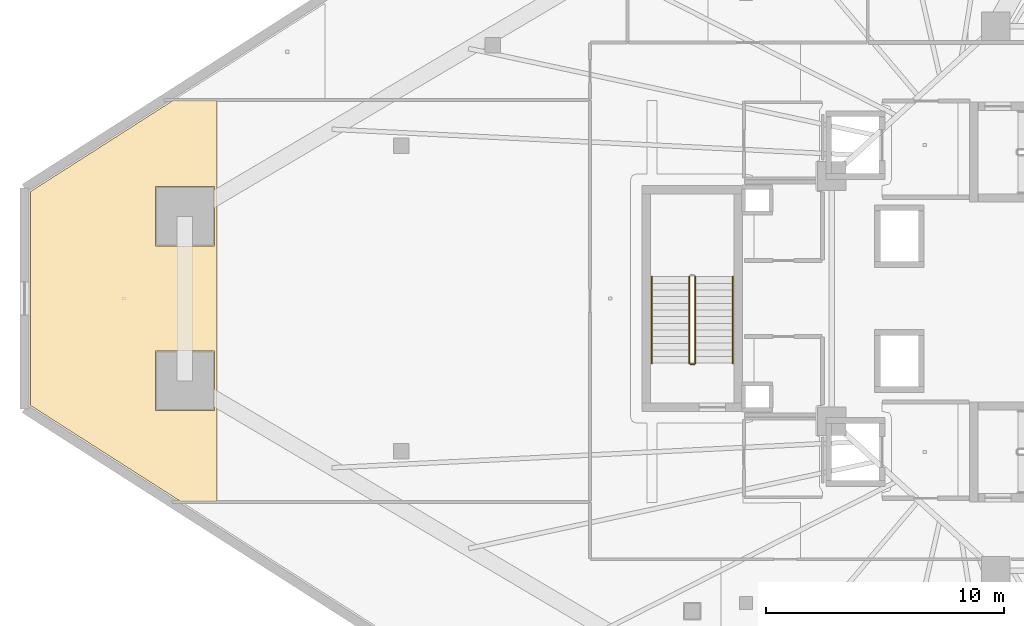
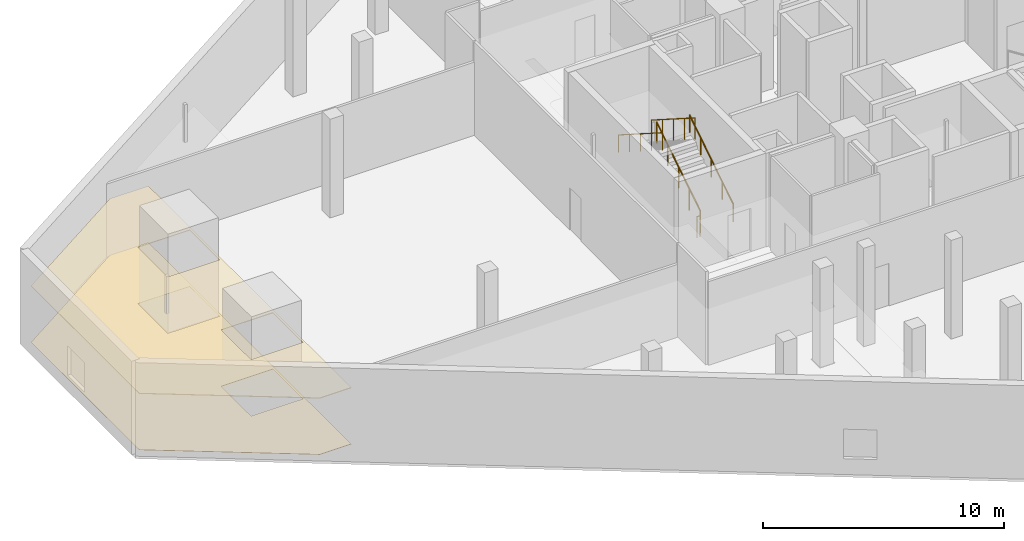
# One storey, part 40 of 46: 5 railings, 2 coverings.
"""IFC4 building model written with IfcOpenShell, lengths in metres."""

from ifc_helpers import new_model, si_unit, direction, frame, origin, origin_2d, place, context, subcontext, project, spatial, polyline, circle, outline, extrude, material, layer, layer_set, type_object, element, save


model = new_model("IFC4")

# Units and contexts
model_context = context("Model", 3, precision=1e-05, world=origin(), true_north=direction((0.0, 1.0)))
body_context = subcontext(model_context, "Body", "Model", "MODEL_VIEW")
ifc_project = project(units=[si_unit("LENGTHUNIT", "METRE"), si_unit("AREAUNIT", "SQUARE_METRE"), si_unit("VOLUMEUNIT", "CUBIC_METRE"), si_unit("PLANEANGLEUNIT", "RADIAN"), si_unit("MASSUNIT", "GRAM", prefix="KILO")], contexts=[model_context])

# Site, building, storey
site_placement = place(None, origin())
site = spatial("IfcSite", under=ifc_project, at=site_placement, CompositionType="ELEMENT")
building_placement = place(site_placement, origin())
building = spatial("IfcBuilding", under=site, at=building_placement, Name="Qorvath Tower", CompositionType="ELEMENT")
storey_placement = place(building_placement, frame((0.0, 0.0, 17.0)))
storey = spatial("IfcBuildingStorey", under=building, at=storey_placement, Name="L03", CompositionType="ELEMENT", Elevation=17.0)

# Coverings
ifc_material_1 = material(Name="Acoustic mineral fibre ceiling tile", Category="gypsum")
ifc_layer_1 = layer(ifc_material_1, 0.030029296875)
ifc_layer_set_1 = layer_set([ifc_layer_1], Name="COV-CEIL")
covering_type_1 = type_object("IfcCoveringType", Name="COV-CEIL", PredefinedType="CEILING", material=ifc_layer_set_1)
covering_1_placement = place(storey_placement, frame((0.0, 0.0, 2.85009765625)))
element("IfcCovering", 1, at=covering_1_placement, inside=storey, type_object=covering_type_1, Name="L03 Suspended Acoustic Ceiling 013", PredefinedType="CEILING", context=body_context, shape_type="SweptSolid", body=[
    extrude(outline(polyline([(-56.33056640625, -8.537109375), (-56.33056640625, 8.331298828125), (-58.166015625, 8.330810546875), (-64.164306640625, 4.4970703125), (-64.164306640625, -4.4970703125), (-57.84326171875, -8.537109375), (-56.33056640625, -8.537109375)]), holes=[polyline([(-58.92236328125, -2.213623046875), (-56.4375, -2.213623046875), (-56.4375, -4.698486328125), (-58.92236328125, -4.698486328125), (-58.92236328125, -2.213623046875)]), polyline([(-58.92236328125, 4.698486328125), (-56.4375, 4.698486328125), (-56.4375, 2.213623046875), (-58.92236328125, 2.213623046875), (-58.92236328125, 4.698486328125)])]), origin(), (0.0, 0.0, 1.0), 0.030029296875),
])
ifc_material_2 = material(Name="Low-VOC modular carpet tile", Category="textile")
ifc_layer_2 = layer(ifc_material_2, 0.014892578125)
ifc_layer_set_2 = layer_set([ifc_layer_2], Name="COV-FLOOR-CPT")
covering_type_2 = type_object("IfcCoveringType", Name="COV-FLOOR-CPT", PredefinedType="FLOORING", material=ifc_layer_set_2)
covering_2_placement = place(storey_placement, origin())
element("IfcCovering", 2, at=covering_2_placement, inside=storey, type_object=covering_type_2, Name="L03 Floor Finish 013", PredefinedType="FLOORING", context=body_context, shape_type="SweptSolid", body=[
    extrude(outline(polyline([(-56.33056640625, -8.537109375), (-56.33056640625, 8.331298828125), (-58.166015625, 8.330810546875), (-64.164306640625, 4.4970703125), (-64.164306640625, -4.4970703125), (-57.84326171875, -8.537109375), (-56.33056640625, -8.537109375)]), holes=[polyline([(-58.92236328125, -2.213623046875), (-56.4375, -2.213623046875), (-56.4375, -4.698486328125), (-58.92236328125, -4.698486328125), (-58.92236328125, -2.213623046875)]), polyline([(-58.92236328125, 4.698486328125), (-56.4375, 4.698486328125), (-56.4375, 2.213623046875), (-58.92236328125, 2.213623046875), (-58.92236328125, 4.698486328125)])]), origin(), (0.0, 0.0, 1.0), 0.014892578125),
])

# Railings
ifc_material_3 = material(Name="Painted galvanised steel", Category="steel")
railing_type_1 = type_object("IfcRailingType", Name="RL-STR-GRD", PredefinedType="GUARDRAIL", material=ifc_material_3)
railing_1_placement = place(storey_placement, frame((-36.22998046875, -2.719970703125, 0.178466796875)))
element("IfcRailing", 3, at=railing_1_placement, inside=storey, type_object=railing_type_1, Name="L03 TS3 stair guard 1", PredefinedType="GUARDRAIL", context=body_context, shape_type="SweptSolid", body=[
    extrude(circle(Radius=0.02392578125, at=origin_2d()), frame((0.0, 0.0, 1.076171875), z_axis=(0.0, 0.843111507901, 0.53773877045), x_axis=(-1.0, 0.0, 0.0)), (0.0, 0.0, 1.0), 4.317138671875),
    extrude(circle(Radius=0.02099609375, at=origin_2d()), origin(), (0.0, 0.0, 1.0), 1.052001953125),
    extrude(circle(Radius=0.02099609375, at=origin_2d()), frame((0.0, 0.909912109375, 0.580322265625)), (0.0, 0.0, 1.0), 1.052001953125),
    extrude(circle(Radius=0.02099609375, at=origin_2d()), frame((0.0, 1.81982421875, 1.16064453125)), (0.0, 0.0, 1.0), 1.052001953125),
    extrude(circle(Radius=0.02099609375, at=origin_2d()), frame((0.0, 2.72998046875, 1.7412109375)), (0.0, 0.0, 1.0), 1.052001953125),
    extrude(circle(Radius=0.02099609375, at=origin_2d()), frame((0.0, 3.639892578125, 2.321533203125)), (0.0, 0.0, 1.0), 1.052001953125),
])
railing_2_placement = place(storey_placement, frame((-36.47998046875, 0.919921875, 2.678466796875)))
element("IfcRailing", 4, at=railing_2_placement, inside=storey, type_object=railing_type_1, Name="L03 TS3 stair guard 3", PredefinedType="GUARDRAIL", context=body_context, shape_type="SweptSolid", body=[
    extrude(circle(Radius=0.02392578125, at=origin_2d()), frame((0.0, 0.0, 1.076171875), z_axis=(0.0, -0.843111507901, 0.53773877045), x_axis=(1.0, 0.0, 0.0)), (0.0, 0.0, 1.0), 4.317138671875),
    extrude(circle(Radius=0.02099609375, at=origin_2d()), origin(), (0.0, 0.0, 1.0), 1.052001953125),
    extrude(circle(Radius=0.02099609375, at=origin_2d()), frame((0.0, -0.909912109375, 0.580322265625)), (0.0, 0.0, 1.0), 1.052001953125),
    extrude(circle(Radius=0.02099609375, at=origin_2d()), frame((0.0, -1.81982421875, 1.16064453125)), (0.0, 0.0, 1.0), 1.052001953125),
    extrude(circle(Radius=0.02099609375, at=origin_2d()), frame((0.0, -2.72998046875, 1.7412109375)), (0.0, 0.0, 1.0), 1.052001953125),
    extrude(circle(Radius=0.02099609375, at=origin_2d()), frame((0.0, -3.639892578125, 2.321533203125)), (0.0, 0.0, 1.0), 1.052001953125),
])
railing_3_placement = place(storey_placement, frame((-36.280029296875, -2.77001953125, 0.0)))
element("IfcRailing", 5, at=railing_3_placement, inside=storey, type_object=railing_type_1, Name="L03 TS3 stair guard 4", PredefinedType="GUARDRAIL", context=body_context, shape_type="SweptSolid", body=[
    extrude(circle(Radius=0.02392578125, at=origin_2d()), frame((0.0, 0.0, 1.076171875), z_axis=(-1.0, 0.0, 0.0), x_axis=(0.0, -1.0, 0.0)), (0.0, 0.0, 1.0), 0.14990234375),
    extrude(circle(Radius=0.02099609375, at=origin_2d()), origin(), (0.0, 0.0, 1.0), 1.052001953125),
    extrude(circle(Radius=0.02099609375, at=origin_2d()), frame((-0.14990234375, 0.0, 0.0)), (0.0, 0.0, 1.0), 1.052001953125),
])
ifc_material_4 = material(Name="Brushed stainless steel AISI 304", Category="steel")
railing_type_2 = type_object("IfcRailingType", Name="RL-STR-HND", PredefinedType="HANDRAIL", material=ifc_material_4)
railing_4_placement = place(storey_placement, frame((-34.64990234375, -2.719970703125, 0.178466796875)))
element("IfcRailing", 6, at=railing_4_placement, inside=storey, type_object=railing_type_2, Name="L03 TS3 stair handrail 1", PredefinedType="HANDRAIL", context=body_context, shape_type="SweptSolid", body=[
    extrude(circle(Radius=0.02392578125, at=origin_2d()), frame((0.0, 0.0, 0.8759765625), z_axis=(0.0, 0.843111507901, 0.53773877045), x_axis=(-1.0, 0.0, 0.0)), (0.0, 0.0, 1.0), 4.317138671875),
    extrude(circle(Radius=0.02099609375, at=origin_2d()), origin(), (0.0, 0.0, 1.0), 0.851806640625),
    extrude(circle(Radius=0.02099609375, at=origin_2d()), frame((0.0, 0.909912109375, 0.580322265625)), (0.0, 0.0, 1.0), 0.851806640625),
    extrude(circle(Radius=0.02099609375, at=origin_2d()), frame((0.0, 1.81982421875, 1.16064453125)), (0.0, 0.0, 1.0), 0.851806640625),
    extrude(circle(Radius=0.02099609375, at=origin_2d()), frame((0.0, 2.72998046875, 1.7412109375)), (0.0, 0.0, 1.0), 0.851806640625),
    extrude(circle(Radius=0.02099609375, at=origin_2d()), frame((0.0, 3.639892578125, 2.321533203125)), (0.0, 0.0, 1.0), 0.851806640625),
])
railing_5_placement = place(storey_placement, frame((-38.06005859375, 0.919921875, 2.678466796875)))
element("IfcRailing", 7, at=railing_5_placement, inside=storey, type_object=railing_type_2, Name="L03 TS3 stair handrail 2", PredefinedType="HANDRAIL", context=body_context, shape_type="SweptSolid", body=[
    extrude(circle(Radius=0.02392578125, at=origin_2d()), frame((0.0, 0.0, 0.8759765625), z_axis=(0.0, -0.843111507901, 0.53773877045), x_axis=(1.0, 0.0, 0.0)), (0.0, 0.0, 1.0), 4.317138671875),
    extrude(circle(Radius=0.02099609375, at=origin_2d()), origin(), (0.0, 0.0, 1.0), 0.851806640625),
    extrude(circle(Radius=0.02099609375, at=origin_2d()), frame((0.0, -0.909912109375, 0.580322265625)), (0.0, 0.0, 1.0), 0.851806640625),
    extrude(circle(Radius=0.02099609375, at=origin_2d()), frame((0.0, -1.81982421875, 1.16064453125)), (0.0, 0.0, 1.0), 0.851806640625),
    extrude(circle(Radius=0.02099609375, at=origin_2d()), frame((0.0, -2.72998046875, 1.7412109375)), (0.0, 0.0, 1.0), 0.851806640625),
    extrude(circle(Radius=0.02099609375, at=origin_2d()), frame((0.0, -3.639892578125, 2.321533203125)), (0.0, 0.0, 1.0), 0.851806640625),
])

save(model, "model.ifc")
